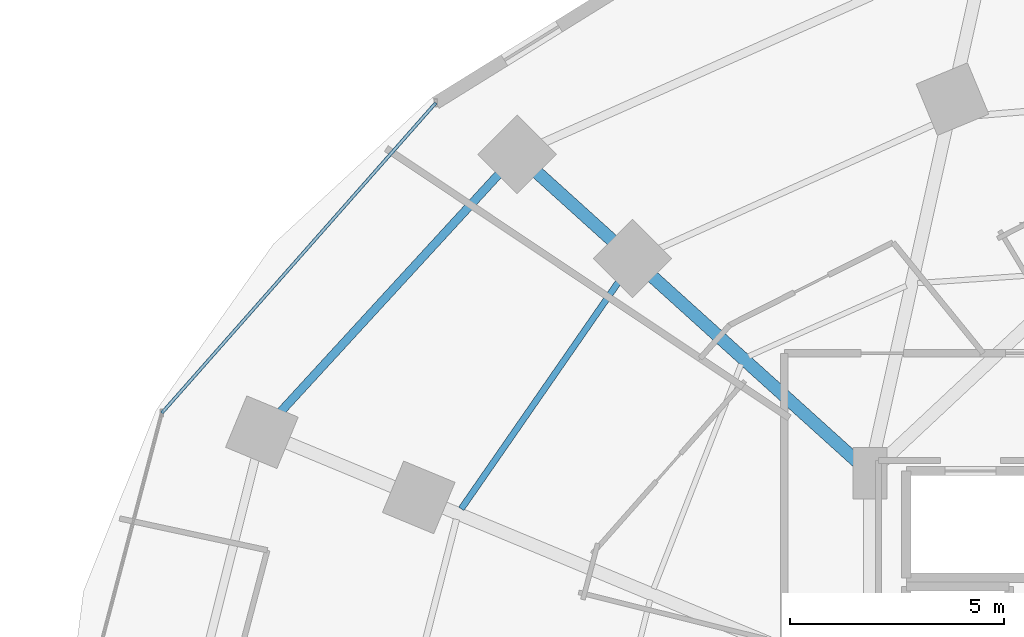
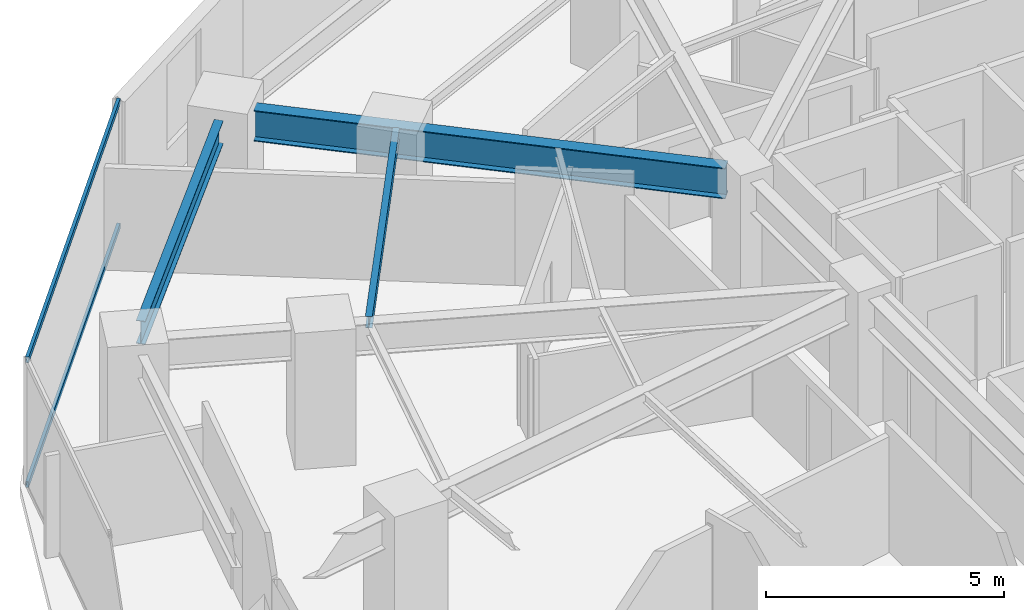
# One storey, part 18 of 33: 3 beams, 2 members, 1 element without a shape of its own.
"""IFC4 building model written with IfcOpenShell, lengths in metres."""

from ifc_helpers import new_model, si_unit, direction, frame, origin, origin_2d, place, context, subcontext, project, spatial, hollow_rectangle, i_section, extrude, material, material_profile, profile_set, type_object, element, aggregate, save


model = new_model("IFC4")

# Units and contexts
model_context = context("Model", 3, precision=1e-05, world=origin(), true_north=direction((0.0, 1.0)))
body_context = subcontext(model_context, "Body", "Model", "MODEL_VIEW")
ifc_project = project(units=[si_unit("LENGTHUNIT", "METRE"), si_unit("AREAUNIT", "SQUARE_METRE"), si_unit("VOLUMEUNIT", "CUBIC_METRE"), si_unit("PLANEANGLEUNIT", "RADIAN"), si_unit("MASSUNIT", "GRAM", prefix="KILO")], contexts=[model_context])

# Site, building, storey
site_placement = place(None, origin())
site = spatial("IfcSite", under=ifc_project, at=site_placement, CompositionType="ELEMENT")
building_placement = place(site_placement, origin())
building = spatial("IfcBuilding", under=site, at=building_placement, Name="Vorneva Point Tower", CompositionType="ELEMENT")
storey_placement = place(building_placement, frame((0.0, 0.0, 38.0)))
storey = spatial("IfcBuildingStorey", under=building, at=storey_placement, Name="L09", CompositionType="ELEMENT", Elevation=38.0)

# Beams
ifc_material_1 = material(Name="Steel S355", Category="steel")
ifc_material_profile_1 = material_profile(ifc_material_1, i_section(OverallWidth=0.300048828125, OverallDepth=0.7880859375, WebThickness=0.014404296875, FlangeThickness=0.02197265625, at=origin_2d()), Name="80Sh1")
ifc_profile_set_1 = profile_set([ifc_material_profile_1], Name="Steel S355")
beam_type_1 = type_object("IfcBeamType", Name="BM-GRD-80Sh1", PredefinedType="USERDEFINED", material=ifc_profile_set_1)
beam_1_placement = place(storey_placement, frame((19.47607421875, 40.172119140625, 2.845947265625), z_axis=(0.742084477445, -0.67030636901, 0.0), x_axis=(0.67030636901, 0.742084477445, 0.0)))
element("IfcBeam", 1, at=beam_1_placement, inside=storey, type_object=beam_type_1, Name="L09 Radial Primary Girder 07", ObjectType="GIRDER", PredefinedType="USERDEFINED", context=body_context, shape_type="SweptSolid", body=[
    extrude(i_section(OverallWidth=0.300048828125, OverallDepth=0.7880859375, WebThickness=0.014404296875, FlangeThickness=0.02197265625, at=origin_2d()), origin(), (0.0, 0.0, 1.0), 10.135986328125),
])
ifc_material_profile_2 = material_profile(ifc_material_1, i_section(OverallWidth=0.14892578125, OverallDepth=0.298095703125, WebThickness=0.005615234375, FlangeThickness=0.008056640625, at=origin_2d()), Name="30B1")
ifc_profile_set_2 = profile_set([ifc_material_profile_2], Name="Steel S355")
beam_type_2 = type_object("IfcBeamType", Name="BM-JST-30B1", PredefinedType="JOIST", material=ifc_profile_set_2)
beam_2_placement = place(storey_placement, frame((21.65380859375, 38.0205078125, 3.091064453125), z_axis=(-0.569656110383, -0.82188315222, 0.0), x_axis=(0.82188315222, -0.569656110383, 0.0)))
element("IfcBeam", 2, at=beam_2_placement, inside=storey, type_object=beam_type_2, Name="L09 Secondary Floor Beam 1.07", PredefinedType="JOIST", context=body_context, shape_type="SweptSolid", body=[
    extrude(i_section(OverallWidth=0.14892578125, OverallDepth=0.298095703125, WebThickness=0.005615234375, FlangeThickness=0.008056640625, at=origin_2d()), origin(), (0.0, 0.0, 1.0), 6.942138671875),
])
ifc_material_profile_3 = material_profile(ifc_material_1, i_section(OverallWidth=0.198974609375, OverallDepth=0.595947265625, WebThickness=0.010009765625, FlangeThickness=0.014892578125, at=origin_2d()), Name="60B1")
ifc_profile_set_3 = profile_set([ifc_material_profile_3], Name="Steel S355")
beam_type_3 = type_object("IfcBeamType", Name="BM-SPN-60B1", PredefinedType="SPANDREL", material=ifc_profile_set_3)
beam_3_placement = place(storey_placement, frame((18.572998046875, 40.132080078125, 2.94189453125), z_axis=(-0.676348412786, -0.736581851882, 0.0), x_axis=(0.736581851882, -0.676348412786, 0.0)))
element("IfcBeam", 3, at=beam_3_placement, inside=storey, type_object=beam_type_3, Name="L09 Perimeter Spandrel Ring Beam 07", PredefinedType="SPANDREL", context=body_context, shape_type="SweptSolid", body=[
    extrude(i_section(OverallWidth=0.198974609375, OverallDepth=0.595947265625, WebThickness=0.010009765625, FlangeThickness=0.014892578125, at=origin_2d()), origin(), (0.0, 0.0, 1.0), 7.547119140625),
])

# Curtain wall, members
ifc_material_2 = material(Name="Pale anodised aluminium", Category="aluminium")
curtain_wall_type = type_object("IfcCurtainWallType", Name="CW-HTL-SYS", PredefinedType="NOTDEFINED", material=ifc_material_2)
curtain_wall_placement = place(storey_placement, origin())
curtain_wall = element("IfcCurtainWall", 4, at=curtain_wall_placement, inside=storey, type_object=curtain_wall_type, Name="L09 Unitised Curtain Wall CW-L09-R03", PredefinedType="NOTDEFINED")
ifc_material_profile_4 = material_profile(ifc_material_2, hollow_rectangle(XDim=0.074951171875, YDim=0.14990234375, WallThickness=0.00390625, at=origin_2d()), Name="AL-TRN 150x75x4")
ifc_profile_set_4 = profile_set([ifc_material_profile_4], Name="Pale anodised aluminium")
member_type = type_object("IfcMemberType", Name="CW-TRN-150", PredefinedType="USERDEFINED", material=ifc_profile_set_4)
member_1_placement = place(storey_placement, frame((17.10498046875, 41.8037109375, 0.02001953125), z_axis=(-0.662075539029, -0.749437109182, 0.0), x_axis=(0.749437109182, -0.662075539029, 0.0)))
member_1 = element("IfcMember", 5, at=member_1_placement, type_object=member_type, Name="CW-L09-R03 Transom 01.1", ObjectType="TRANSOM", PredefinedType="USERDEFINED", context=body_context, shape_type="SweptSolid", body=[
    extrude(hollow_rectangle(XDim=0.074951171875, YDim=0.14990234375, WallThickness=0.00390625, at=origin_2d()), origin(), (0.0, 0.0, 1.0), 9.6748046875),
])
member_2_placement = place(storey_placement, frame((17.10498046875, 41.8037109375, 3.219970703125), z_axis=(-0.662075539029, -0.749437109182, 0.0), x_axis=(0.749437109182, -0.662075539029, 0.0)))
member_2 = element("IfcMember", 6, at=member_2_placement, type_object=member_type, Name="CW-L09-R03 Transom 01.2", ObjectType="TRANSOM", PredefinedType="USERDEFINED", context=body_context, shape_type="SweptSolid", body=[
    extrude(hollow_rectangle(XDim=0.074951171875, YDim=0.14990234375, WallThickness=0.00390625, at=origin_2d()), origin(), (0.0, 0.0, 1.0), 9.6748046875),
])
aggregate(curtain_wall, [member_1, member_2])

save(model, "model.ifc")
